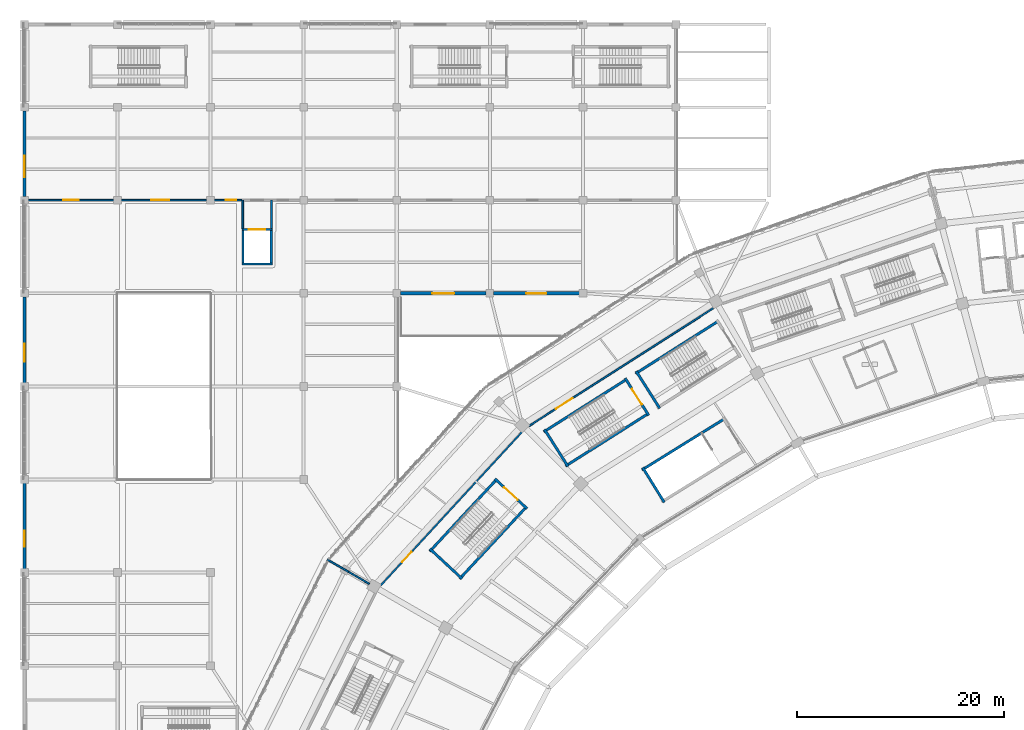
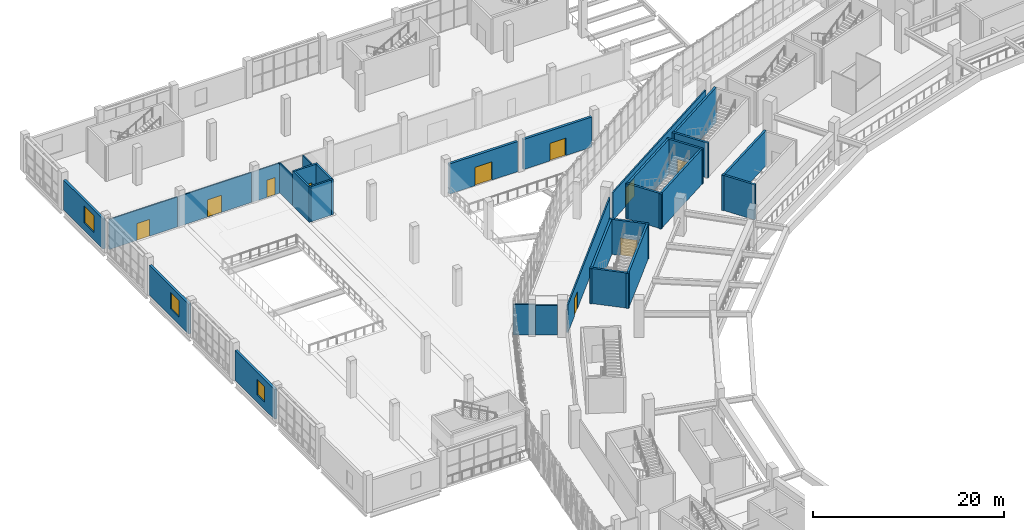
# One storey, part 107 of 179: 30 walls, 10 doors, 3 windows, 13 openings.
"""IFC4 building model written with IfcOpenShell, lengths in metres."""

from ifc_helpers import new_model, si_unit, direction, frame, frame_2d, origin, place, context, subcontext, project, spatial, rectangle, extrude, material, layer, layer_set, type_object, element, fill, save


model = new_model("IFC4")

# Units and contexts
model_context = context("Model", 3, precision=1e-05, world=origin(), true_north=direction((0.0, 1.0)))
body_context = subcontext(model_context, "Body", "Model", "MODEL_VIEW")
ifc_project = project(units=[si_unit("LENGTHUNIT", "METRE"), si_unit("AREAUNIT", "SQUARE_METRE"), si_unit("VOLUMEUNIT", "CUBIC_METRE"), si_unit("PLANEANGLEUNIT", "RADIAN"), si_unit("MASSUNIT", "GRAM", prefix="KILO")], contexts=[model_context])

# Site, building, storey
site_placement = place(None, origin())
site = spatial("IfcSite", under=ifc_project, at=site_placement, CompositionType="ELEMENT")
building_placement = place(site_placement, origin())
building = spatial("IfcBuilding", under=site, at=building_placement, Name="Zevraka Park Crest Stadium", CompositionType="ELEMENT")
storey_placement = place(building_placement, frame((0.0, 0.0, 10.199951171875)))
storey = spatial("IfcBuildingStorey", under=building, at=storey_placement, Name="L02", CompositionType="ELEMENT", Elevation=10.199951171875)

# Wall, opening, window
ifc_material_1 = material(Name="Limestone and red clay brick masonry", Category="masonry")
ifc_layer_1 = layer(ifc_material_1, 0.300048828125)
ifc_layer_set_1 = layer_set([ifc_layer_1], Name="Limestone and red clay brick masonry")
wall_type_1 = type_object("IfcWallType", Name="EW02", PredefinedType="STANDARD", material=ifc_layer_set_1)
wall_1_placement = place(storey_placement, frame((0.0, 131.35009765625, 0.0), z_axis=(0.0, 0.0, 1.0), x_axis=(0.0, 1.0, 0.0)))
wall_1 = element("IfcWall", 1, at=wall_1_placement, inside=storey, type_object=wall_type_1, Name="Wing External Cavity Wall EW02 L02-NW-W-3", PredefinedType="STANDARD", context=body_context, shape_type="SweptSolid", body=[
    extrude(rectangle(XDim=8.2998046875, YDim=0.300048828125, at=frame_2d((4.14990234375, 0.0))), origin(), (0.0, 0.0, 1.0), 3.817138671875),
])
opening_1_placement = place(wall_1_placement, frame((2.1298828125, 0.0, 0.949951171875)))
opening_1 = element("IfcOpeningElement", 2, at=opening_1_placement, cuts=wall_1, Name="Opening WN32", PredefinedType="OPENING", context=body_context, shape_type="SweptSolid", body=[
    extrude(rectangle(XDim=1.550048828125, YDim=1.949951171875, at=frame_2d((0.77490234375, 0.97509765625))), frame((0.0, 0.159912109375, 0.0), z_axis=(0.0, -1.0, 0.0), x_axis=(1.0, 0.0, 0.0)), (0.0, 0.0, 1.0), 0.320068359375),
])
ifc_material_2 = material(Name="Solar-control laminated double glazing in aluminium frame", Category="aluminium")
window_type_1 = type_object("IfcWindowType", Name="WN32", PartitioningType="SINGLE_PANEL", PredefinedType="WINDOW", material=ifc_material_2)
window_1_placement = place(opening_1_placement, origin())
window_1 = element("IfcWindow", 3, at=window_1_placement, inside=storey, type_object=window_type_1, Name="Facade Casement Window WN32 W-L02-032", OverallHeight=1.949951171875, OverallWidth=1.550048828125, PartitioningType="SINGLE_PANEL", PredefinedType="WINDOW", context=body_context, shape_type="SweptSolid", body=[
    extrude(rectangle(XDim=1.550048828125, YDim=1.949951171875, at=frame_2d((0.77490234375, 0.97509765625))), frame((0.0, 0.030029296875, 0.0), z_axis=(0.0, -1.0, 0.0), x_axis=(1.0, 0.0, 0.0)), (0.0, 0.0, 1.0), 0.06005859375),
])
fill(opening_1, window_1)

wall_2_placement = place(storey_placement, frame((0.0, 149.35009765625, 0.0), z_axis=(0.0, 0.0, 1.0), x_axis=(0.0, 1.0, 0.0)))
wall_2 = element("IfcWall", 4, at=wall_2_placement, inside=storey, type_object=wall_type_1, Name="Wing External Cavity Wall EW02 L02-NW-W-5", PredefinedType="STANDARD", context=body_context, shape_type="SweptSolid", body=[
    extrude(rectangle(XDim=8.2998046875, YDim=0.300048828125, at=frame_2d((4.14990234375, 0.0))), origin(), (0.0, 0.0, 1.0), 3.817138671875),
])
opening_2_placement = place(wall_2_placement, frame((2.030029296875, 0.0, 0.949951171875)))
opening_2 = element("IfcOpeningElement", 5, at=opening_2_placement, cuts=wall_2, Name="Opening WN33", PredefinedType="OPENING", context=body_context, shape_type="SweptSolid", body=[
    extrude(rectangle(XDim=1.75, YDim=2.10009765625, at=frame_2d((0.875, 1.050048828125))), frame((0.0, 0.159912109375, 0.0), z_axis=(0.0, -1.0, 0.0), x_axis=(1.0, 0.0, 0.0)), (0.0, 0.0, 1.0), 0.320068359375),
])
ifc_material_3 = material(Name="Solar-control laminated double glazing in aluminium frame", Category="aluminium")
window_type_2 = type_object("IfcWindowType", Name="WN33", PartitioningType="SINGLE_PANEL", PredefinedType="WINDOW", material=ifc_material_3)
window_2_placement = place(opening_2_placement, origin())
window_2 = element("IfcWindow", 6, at=window_2_placement, inside=storey, type_object=window_type_2, Name="Facade Casement Window WN33 W-L02-033", OverallHeight=2.10009765625, OverallWidth=1.75, PartitioningType="SINGLE_PANEL", PredefinedType="WINDOW", context=body_context, shape_type="SweptSolid", body=[
    extrude(rectangle(XDim=1.75, YDim=2.10009765625, at=frame_2d((0.875, 1.050048828125))), frame((0.0, 0.030029296875, 0.0), z_axis=(0.0, -1.0, 0.0), x_axis=(1.0, 0.0, 0.0)), (0.0, 0.0, 1.0), 0.06005859375),
])
fill(opening_2, window_2)

wall_3_placement = place(storey_placement, frame((0.0, 167.35009765625, 0.0), z_axis=(0.0, 0.0, 1.0), x_axis=(0.0, 1.0, 0.0)))
wall_3 = element("IfcWall", 7, at=wall_3_placement, inside=storey, type_object=wall_type_1, Name="Wing External Cavity Wall EW02 L02-NW-W-7", PredefinedType="STANDARD", context=body_context, shape_type="SweptSolid", body=[
    extrude(rectangle(XDim=8.2998046875, YDim=0.300048828125, at=frame_2d((4.14990234375, 0.0))), origin(), (0.0, 0.0, 1.0), 3.817138671875),
])
opening_3_placement = place(wall_3_placement, frame((1.8798828125, 0.0, 0.949951171875)))
opening_3 = element("IfcOpeningElement", 8, at=opening_3_placement, cuts=wall_3, Name="Opening WN34", PredefinedType="OPENING", context=body_context, shape_type="SweptSolid", body=[
    extrude(rectangle(XDim=2.050048828125, YDim=2.199951171875, at=frame_2d((1.02490234375, 1.10009765625))), frame((0.0, 0.159912109375, 0.0), z_axis=(0.0, -1.0, 0.0), x_axis=(1.0, 0.0, 0.0)), (0.0, 0.0, 1.0), 0.320068359375),
])
ifc_material_4 = material(Name="Solar-control laminated double glazing in aluminium frame", Category="aluminium")
window_type_3 = type_object("IfcWindowType", Name="WN34", PartitioningType="SINGLE_PANEL", PredefinedType="WINDOW", material=ifc_material_4)
window_3_placement = place(opening_3_placement, origin())
window_3 = element("IfcWindow", 9, at=window_3_placement, inside=storey, type_object=window_type_3, Name="Facade Casement Window WN34 W-L02-034", OverallHeight=2.199951171875, OverallWidth=2.050048828125, PartitioningType="SINGLE_PANEL", PredefinedType="WINDOW", context=body_context, shape_type="SweptSolid", body=[
    extrude(rectangle(XDim=2.050048828125, YDim=2.199951171875, at=frame_2d((1.02490234375, 1.10009765625))), frame((0.0, 0.030029296875, 0.0), z_axis=(0.0, -1.0, 0.0), x_axis=(1.0, 0.0, 0.0)), (0.0, 0.0, 1.0), 0.06005859375),
])
fill(opening_3, window_3)

# Wall, opening, door
wall_4_placement = place(storey_placement, frame((53.64990234375, 158.0, 0.0), z_axis=(0.0, 0.0, 1.0), x_axis=(-1.0, 0.0, 0.0)))
wall_4 = element("IfcWall", 10, at=wall_4_placement, inside=storey, type_object=wall_type_1, Name="Wing External Cavity Wall EW02 L02-NW-VER2-2", PredefinedType="STANDARD", context=body_context, shape_type="SweptSolid", body=[
    extrude(rectangle(XDim=8.2998046875, YDim=0.300048828125, at=frame_2d((4.14990234375, 0.0))), origin(), (0.0, 0.0, 1.0), 3.85498046875),
])
opening_4_placement = place(wall_4_placement, frame((3.175048828125, 0.0, 0.0)))
opening_4 = element("IfcOpeningElement", 11, at=opening_4_placement, cuts=wall_4, Name="Opening D-L02-VER-01", PredefinedType="OPENING", context=body_context, shape_type="SweptSolid", body=[
    extrude(rectangle(XDim=1.949951171875, YDim=2.25, at=frame_2d((0.97509765625, 1.125))), frame((0.0, 0.159912109375, 0.0), z_axis=(0.0, -1.0, 0.0), x_axis=(1.0, 0.0, 0.0)), (0.0, 0.0, 1.0), 0.320068359375),
])
ifc_material_5 = material(Name="Thermally broken architectural aluminium and safety glass", Category="aluminium")
door_type_1 = type_object("IfcDoorType", Name="ED05", OperationType="NOTDEFINED", PredefinedType="DOOR", material=ifc_material_5)
door_1_placement = place(opening_4_placement, origin())
door_1 = element("IfcDoor", 12, at=door_1_placement, inside=storey, type_object=door_type_1, Name="Outdoor Veranda Access Door D-L02-VER-01", OperationType="DOUBLE_DOOR_SINGLE_SWING", OverallHeight=2.25, OverallWidth=1.949951171875, PredefinedType="DOOR", context=body_context, shape_type="SweptSolid", body=[
    extrude(rectangle(XDim=1.949951171875, YDim=2.25, at=frame_2d((0.97509765625, 1.125))), frame((0.0, 0.02490234375, 0.0), z_axis=(0.0, -1.0, 0.0), x_axis=(1.0, 0.0, 0.0)), (0.0, 0.0, 1.0), 0.050048828125),
])
fill(opening_4, door_1)

wall_5_placement = place(storey_placement, frame((44.64990234375, 158.0, 0.0), z_axis=(0.0, 0.0, 1.0), x_axis=(-1.0, 0.0, 0.0)))
wall_5 = element("IfcWall", 13, at=wall_5_placement, inside=storey, type_object=wall_type_1, Name="Wing External Cavity Wall EW02 L02-NW-VER2-3", PredefinedType="STANDARD", context=body_context, shape_type="SweptSolid", body=[
    extrude(rectangle(XDim=8.2998046875, YDim=0.300048828125, at=frame_2d((4.14990234375, 0.0))), origin(), (0.0, 0.0, 1.0), 3.85498046875),
])
opening_5_placement = place(wall_5_placement, frame((3.10009765625, 0.0, 0.0)))
opening_5 = element("IfcOpeningElement", 14, at=opening_5_placement, cuts=wall_5, Name="Opening D-L02-VER-02", PredefinedType="OPENING", context=body_context, shape_type="SweptSolid", body=[
    extrude(rectangle(XDim=2.10009765625, YDim=2.35009765625, at=frame_2d((1.050048828125, 1.175048828125))), frame((0.0, 0.159912109375, 0.0), z_axis=(0.0, -1.0, 0.0), x_axis=(1.0, 0.0, 0.0)), (0.0, 0.0, 1.0), 0.320068359375),
])
ifc_material_6 = material(Name="Thermally broken architectural aluminium and safety glass", Category="aluminium")
door_type_2 = type_object("IfcDoorType", Name="ED06", OperationType="NOTDEFINED", PredefinedType="DOOR", material=ifc_material_6)
door_2_placement = place(opening_5_placement, origin())
door_2 = element("IfcDoor", 15, at=door_2_placement, inside=storey, type_object=door_type_2, Name="Outdoor Veranda Access Door D-L02-VER-02", OperationType="DOUBLE_DOOR_SINGLE_SWING", OverallHeight=2.35009765625, OverallWidth=2.10009765625, PredefinedType="DOOR", context=body_context, shape_type="SweptSolid", body=[
    extrude(rectangle(XDim=2.10009765625, YDim=2.35009765625, at=frame_2d((1.050048828125, 1.175048828125))), frame((0.0, 0.02490234375, 0.0), z_axis=(0.0, -1.0, 0.0), x_axis=(1.0, 0.0, 0.0)), (0.0, 0.0, 1.0), 0.050048828125),
])
fill(opening_5, door_2)

# Walls
ifc_material_7 = material(Name="Fire-rated twin-stud acoustic drywall", Category="other")
ifc_layer_2 = layer(ifc_material_7, 0.159912109375)
ifc_layer_set_2 = layer_set([ifc_layer_2], Name="Fire-rated twin-stud acoustic drywall")
wall_type_2 = type_object("IfcWallType", Name="IW02", PredefinedType="PARTITIONING", material=ifc_layer_set_2)
for number, where, z_axis, x_axis, name in (
    (16, (23.889892578125, 164.25, 0.0), (0.0, 0.0, 1.0), (0.0, 1.0, 0.0), "Goods Lift Lobby Wall IW02 GL01 L02 LEFT"),
    (17, (21.110107421875, 164.25, 0.0), (0.0, 0.0, 1.0), (0.0, 1.0, 0.0), "Goods Lift Lobby Wall IW02 GL01 L02 RIGHT"),
):
    element("IfcWall", number, at=place(storey_placement, frame(where, z_axis=z_axis, x_axis=x_axis)), inside=storey, type_object=wall_type_2, Name=name, PredefinedType="PARTITIONING", context=body_context, shape_type="SweptSolid", body=[
        extrude(rectangle(XDim=2.75, YDim=0.159912109375, at=frame_2d((1.375, 0.0))), origin(), (0.0, 0.0, 1.0), 3.85498046875),
    ])

# Wall, opening, door
wall_6_placement = place(storey_placement, frame((66.6298828125, 156.572998046875, 0.0), z_axis=(0.0, 0.0, 1.0), x_axis=(-0.842559137296, -0.538603843431, 0.0)))
wall_6 = element("IfcWall", 18, at=wall_6_placement, inside=storey, type_object=wall_type_2, Name="Interior Partition IW02 North Park Banquet Hall L02", PredefinedType="PARTITIONING", context=body_context, shape_type="SweptSolid", body=[
    extrude(rectangle(XDim=21.163818359375, YDim=0.159912109375, at=frame_2d((10.58203125, 0.0))), origin(), (0.0, 0.0, 1.0), 3.56494140625),
])
opening_6_placement = place(wall_6_placement, frame((16.19189453125, 0.0, 0.0)))
opening_6 = element("IfcOpeningElement", 19, at=opening_6_placement, cuts=wall_6, Name="Opening D-L02-405", PredefinedType="OPENING", context=body_context, shape_type="SweptSolid", body=[
    extrude(rectangle(XDim=1.89990234375, YDim=2.25, at=frame_2d((0.949951171875, 1.125))), frame((0.0, 0.08984375, 0.0), z_axis=(0.0, -1.0, 0.0), x_axis=(1.0, 0.0, 0.0)), (0.0, 0.0, 1.0), 0.179931640625),
])
ifc_material_8 = material(Name="Solid-core hardwood timber leaf in steel frame", Category="steel")
door_type_3 = type_object("IfcDoorType", Name="DR15", OperationType="NOTDEFINED", PredefinedType="DOOR", material=ifc_material_8)
door_3_placement = place(opening_6_placement, origin())
door_3 = element("IfcDoor", 20, at=door_3_placement, inside=storey, type_object=door_type_3, Name="North Park Banquet Hall Door D-L02-405", OperationType="DOUBLE_DOOR_SINGLE_SWING", OverallHeight=2.25, OverallWidth=1.89990234375, PredefinedType="DOOR", context=body_context, shape_type="SweptSolid", body=[
    extrude(rectangle(XDim=1.89990234375, YDim=2.25, at=frame_2d((0.949951171875, 1.125))), frame((0.0, 0.02490234375, 0.0), z_axis=(0.0, -1.0, 0.0), x_axis=(1.0, 0.0, 0.0)), (0.0, 0.0, 1.0), 0.050048828125),
])
fill(opening_6, door_3)

wall_7_placement = place(storey_placement, frame((48.09912109375, 144.572998046875, 0.0), z_axis=(0.0, 0.0, 1.0), x_axis=(-0.677448860536, -0.735569875239, 0.0)))
wall_7 = element("IfcWall", 21, at=wall_7_placement, inside=storey, type_object=wall_type_2, Name="Interior Partition IW02 North Park Banquet Hall L02", PredefinedType="PARTITIONING", context=body_context, shape_type="SweptSolid", body=[
    extrude(rectangle(XDim=20.16259765625, YDim=0.159912109375, at=frame_2d((10.081298828125, 0.0))), origin(), (0.0, 0.0, 1.0), 3.56494140625),
])
opening_7_placement = place(wall_7_placement, frame((15.763916015625, 0.0, 0.0)))
opening_7 = element("IfcOpeningElement", 22, at=opening_7_placement, cuts=wall_7, Name="Opening D-L02-406", PredefinedType="OPENING", context=body_context, shape_type="SweptSolid", body=[
    extrude(rectangle(XDim=1.300048828125, YDim=2.25, at=frame_2d((0.64990234375, 1.125))), frame((0.0, 0.08984375, 0.0), z_axis=(0.0, -1.0, 0.0), x_axis=(1.0, 0.0, 0.0)), (0.0, 0.0, 1.0), 0.179931640625),
])
ifc_material_9 = material(Name="Solid-core hardwood timber leaf in steel frame", Category="steel")
door_type_4 = type_object("IfcDoorType", Name="DR12", OperationType="NOTDEFINED", PredefinedType="DOOR", material=ifc_material_9)
door_4_placement = place(opening_7_placement, origin())
door_4 = element("IfcDoor", 23, at=door_4_placement, inside=storey, type_object=door_type_4, Name="North Park Banquet Hall Door D-L02-406", OperationType="SINGLE_SWING_RIGHT", OverallHeight=2.25, OverallWidth=1.300048828125, PredefinedType="DOOR", context=body_context, shape_type="SweptSolid", body=[
    extrude(rectangle(XDim=1.300048828125, YDim=2.25, at=frame_2d((0.64990234375, 1.125))), frame((0.0, 0.02490234375, 0.0), z_axis=(0.0, -1.0, 0.0), x_axis=(1.0, 0.0, 0.0)), (0.0, 0.0, 1.0), 0.050048828125),
])
fill(opening_7, door_4)

# Walls
wall_8_placement = place(storey_placement, frame((33.35595703125, 129.905029296875, 0.0), z_axis=(0.0, 0.0, 1.0), x_axis=(-0.865911483355, 0.500197264081, 0.0)))
element("IfcWall", 24, at=wall_8_placement, inside=storey, type_object=wall_type_2, Name="Interior Partition IW02 North Park Banquet Hall L02", PredefinedType="PARTITIONING", context=body_context, shape_type="SweptSolid", body=[
    extrude(rectangle(XDim=2.3291015625, YDim=0.159912109375, at=frame_2d((1.16455078125, 0.0))), origin(), (0.0, 0.0, 1.0), 3.783447265625),
])
wall_9_placement = place(storey_placement, frame((31.35205078125, 131.06201171875, 0.0), z_axis=(0.0, 0.0, 1.0), x_axis=(-0.865969920531, 0.500096087503, 0.0)))
element("IfcWall", 25, at=wall_9_placement, inside=storey, type_object=wall_type_2, Name="Interior Partition IW02 North Park Banquet Hall L02", PredefinedType="PARTITIONING", context=body_context, shape_type="SweptSolid", body=[
    extrude(rectangle(XDim=2.37548828125, YDim=0.159912109375, at=frame_2d((1.187744140625, 0.0))), origin(), (0.0, 0.0, 1.0), 3.9150390625),
])

# Wall, opening, door
ifc_material_10 = material(Name="Fire-rated twin-stud acoustic drywall", Category="other")
ifc_layer_3 = layer(ifc_material_10, 0.139892578125)
ifc_layer_set_3 = layer_set([ifc_layer_3], Name="Fire-rated twin-stud acoustic drywall")
wall_type_3 = type_object("IfcWallType", Name="IW03", PredefinedType="PARTITIONING", material=ifc_layer_set_3)
wall_10_placement = place(storey_placement, frame((0.360107421875, 167.0, 0.0), z_axis=(0.0, 0.0, 1.0), x_axis=(1.0, 0.0, 0.0)))
wall_10 = element("IfcWall", 26, at=wall_10_placement, inside=storey, type_object=wall_type_3, Name="Interior Partition IW03 Community Sports Classroom L02", PredefinedType="PARTITIONING", context=body_context, shape_type="SweptSolid", body=[
    extrude(rectangle(XDim=8.27978515625, YDim=0.139892578125, at=frame_2d((4.139892578125, 0.0))), origin(), (0.0, 0.0, 1.0), 3.85498046875),
])
opening_8_placement = place(wall_10_placement, frame((3.389892578125, 0.0, 0.0)))
opening_8 = element("IfcOpeningElement", 27, at=opening_8_placement, cuts=wall_10, Name="Opening D-L02-424", PredefinedType="OPENING", context=body_context, shape_type="SweptSolid", body=[
    extrude(rectangle(XDim=1.5, YDim=2.14990234375, at=frame_2d((0.75, 1.074951171875))), frame((0.0, 0.079833984375, 0.0), z_axis=(0.0, -1.0, 0.0), x_axis=(1.0, 0.0, 0.0)), (0.0, 0.0, 1.0), 0.159912109375),
])
ifc_material_11 = material(Name="Solid-core hardwood timber leaf in steel frame", Category="steel")
door_type_5 = type_object("IfcDoorType", Name="DR13", OperationType="NOTDEFINED", PredefinedType="DOOR", material=ifc_material_11)
door_5_placement = place(opening_8_placement, origin())
door_5 = element("IfcDoor", 28, at=door_5_placement, inside=storey, type_object=door_type_5, Name="Community Sports Classroom Door D-L02-424", OperationType="DOUBLE_DOOR_SINGLE_SWING", OverallHeight=2.14990234375, OverallWidth=1.5, PredefinedType="DOOR", context=body_context, shape_type="SweptSolid", body=[
    extrude(rectangle(XDim=1.5, YDim=2.14990234375, at=frame_2d((0.75, 1.074951171875))), frame((0.0, 0.02490234375, 0.0), z_axis=(0.0, -1.0, 0.0), x_axis=(1.0, 0.0, 0.0)), (0.0, 0.0, 1.0), 0.050048828125),
])
fill(opening_8, door_5)

wall_11_placement = place(storey_placement, frame((8.625, 167.0, 0.0), z_axis=(0.0, 0.0, 1.0), x_axis=(1.0, 0.0, 0.0)))
wall_11 = element("IfcWall", 29, at=wall_11_placement, inside=storey, type_object=wall_type_3, Name="Interior Partition IW03 Community Sports Classroom L02", PredefinedType="PARTITIONING", context=body_context, shape_type="SweptSolid", body=[
    extrude(rectangle(XDim=9.014892578125, YDim=0.139892578125, at=frame_2d((4.50732421875, 0.0))), origin(), (0.0, 0.0, 1.0), 3.85498046875),
])
opening_9_placement = place(wall_11_placement, frame((3.657958984375, 0.0, 0.0)))
opening_9 = element("IfcOpeningElement", 30, at=opening_9_placement, cuts=wall_11, Name="Opening D-L02-425", PredefinedType="OPENING", context=body_context, shape_type="SweptSolid", body=[
    extrude(rectangle(XDim=1.699951171875, YDim=2.199951171875, at=frame_2d((0.85009765625, 1.10009765625))), frame((0.0, 0.079833984375, 0.0), z_axis=(0.0, -1.0, 0.0), x_axis=(1.0, 0.0, 0.0)), (0.0, 0.0, 1.0), 0.159912109375),
])
ifc_material_12 = material(Name="Solid-core hardwood timber leaf in steel frame", Category="steel")
door_type_6 = type_object("IfcDoorType", Name="DR14", OperationType="NOTDEFINED", PredefinedType="DOOR", material=ifc_material_12)
door_6_placement = place(opening_9_placement, origin())
door_6 = element("IfcDoor", 31, at=door_6_placement, inside=storey, type_object=door_type_6, Name="Community Sports Classroom Door D-L02-425", OperationType="DOUBLE_DOOR_SINGLE_SWING", OverallHeight=2.199951171875, OverallWidth=1.699951171875, PredefinedType="DOOR", context=body_context, shape_type="SweptSolid", body=[
    extrude(rectangle(XDim=1.699951171875, YDim=2.199951171875, at=frame_2d((0.85009765625, 1.10009765625))), frame((0.0, 0.02490234375, 0.0), z_axis=(0.0, -1.0, 0.0), x_axis=(1.0, 0.0, 0.0)), (0.0, 0.0, 1.0), 0.050048828125),
])
fill(opening_9, door_6)

wall_12_placement = place(storey_placement, frame((17.625, 167.0, 0.0), z_axis=(0.0, 0.0, 1.0), x_axis=(1.0, 0.0, 0.0)))
wall_12 = element("IfcWall", 32, at=wall_12_placement, inside=storey, type_object=wall_type_3, Name="Interior Partition IW03 Community Sports Classroom L02", PredefinedType="PARTITIONING", context=body_context, shape_type="SweptSolid", body=[
    extrude(rectangle(XDim=3.405029296875, YDim=0.139892578125, at=frame_2d((1.70263671875, 0.0))), origin(), (0.0, 0.0, 1.0), 3.85498046875),
])
opening_10_placement = place(wall_12_placement, frame((1.841064453125, 0.0, 0.0)))
opening_10 = element("IfcOpeningElement", 33, at=opening_10_placement, cuts=wall_12, Name="Opening D-L02-426", PredefinedType="OPENING", context=body_context, shape_type="SweptSolid", body=[
    extrude(rectangle(XDim=1.02001953125, YDim=2.199951171875, at=frame_2d((0.510009765625, 1.10009765625))), frame((0.0, 0.079833984375, 0.0), z_axis=(0.0, -1.0, 0.0), x_axis=(1.0, 0.0, 0.0)), (0.0, 0.0, 1.0), 0.159912109375),
])
ifc_material_13 = material(Name="Solid-core hardwood timber leaf in steel frame", Category="steel")
door_type_7 = type_object("IfcDoorType", Name="DR21", OperationType="NOTDEFINED", PredefinedType="DOOR", material=ifc_material_13)
door_7_placement = place(opening_10_placement, origin())
door_7 = element("IfcDoor", 34, at=door_7_placement, inside=storey, type_object=door_type_7, Name="Community Sports Classroom Door D-L02-426", OperationType="SINGLE_SWING_LEFT", OverallHeight=2.199951171875, OverallWidth=1.02001953125, PredefinedType="DOOR", context=body_context, shape_type="SweptSolid", body=[
    extrude(rectangle(XDim=1.02001953125, YDim=2.199951171875, at=frame_2d((0.510009765625, 1.10009765625))), frame((0.0, 0.02490234375, 0.0), z_axis=(0.0, -1.0, 0.0), x_axis=(1.0, 0.0, 0.0)), (0.0, 0.0, 1.0), 0.050048828125),
])
fill(opening_10, door_7)

# Walls
ifc_material_14 = material(Name="Concrete C40/50", Category="concrete")
ifc_layer_4 = layer(ifc_material_14, 0.25)
ifc_layer_set_4 = layer_set([ifc_layer_4], Name="Concrete C40/50")
wall_type_4 = type_object("IfcWallType", Name="SW01", PredefinedType="SHEAR", material=ifc_layer_set_4)
wall_13_placement = place(storey_placement, frame((67.147216796875, 155.343505859375, 0.0), z_axis=(0.0, 0.0, 1.0), x_axis=(-0.844391246241, -0.535727004427, 0.0)))
element("IfcWall", 35, at=wall_13_placement, inside=storey, type_object=wall_type_4, Name="Stair Core Shear Wall SW01 ST09 L02 left", PredefinedType="SHEAR", context=body_context, shape_type="SweptSolid", body=[
    extrude(rectangle(XDim=9.550048828125, YDim=0.25, at=frame_2d((4.77490234375, 0.0))), origin(), (0.0, 0.0, 1.0), 4.5),
])
wall_14_placement = place(storey_placement, frame((59.1484375, 150.469970703125, 0.0), z_axis=(0.0, 0.0, 1.0), x_axis=(0.53572544074, -0.844392238325, 0.0)))
element("IfcWall", 36, at=wall_14_placement, inside=storey, type_object=wall_type_4, Name="Stair Core Shear Wall SW01 ST09 L02 far", PredefinedType="SHEAR", context=body_context, shape_type="SweptSolid", body=[
    extrude(rectangle(XDim=4.260009765625, YDim=0.25, at=frame_2d((2.1298828125, 0.0))), origin(), (0.0, 0.0, 1.0), 4.5),
])
wall_15_placement = place(storey_placement, frame((45.6943359375, 140.047607421875, 0.0), z_axis=(0.0, 0.0, 1.0), x_axis=(-0.680257902718, -0.7329728411, 0.0)))
element("IfcWall", 37, at=wall_15_placement, inside=storey, type_object=wall_type_4, Name="Stair Core Shear Wall SW01 ST10 L02 left", PredefinedType="SHEAR", context=body_context, shape_type="SweptSolid", body=[
    extrude(rectangle(XDim=9.5498046875, YDim=0.25, at=frame_2d((4.77490234375, 0.0))), origin(), (0.0, 0.0, 1.0), 4.5),
])
wall_16_placement = place(storey_placement, frame((42.0712890625, 130.381103515625, 0.0), z_axis=(0.0, 0.0, 1.0), x_axis=(0.680245155897, 0.732984670971, 0.0)))
element("IfcWall", 38, at=wall_16_placement, inside=storey, type_object=wall_type_4, Name="Stair Core Shear Wall SW01 ST10 L02 right", PredefinedType="SHEAR", context=body_context, shape_type="SweptSolid", body=[
    extrude(rectangle(XDim=9.550048828125, YDim=0.25, at=frame_2d((4.77490234375, 0.0))), origin(), (0.0, 0.0, 1.0), 4.5),
])

# Wall, opening, door
wall_17_placement = place(storey_placement, frame((48.607177734375, 137.173828125, 0.0), z_axis=(0.0, 0.0, 1.0), x_axis=(-0.73295064559, 0.680281817433, 0.0)))
wall_17 = element("IfcWall", 39, at=wall_17_placement, inside=storey, type_object=wall_type_4, Name="Stair Core Shear Wall SW01 ST10 L02 near", PredefinedType="SHEAR", context=body_context, shape_type="SweptSolid", body=[
    extrude(rectangle(XDim=4.260009765625, YDim=0.25, at=frame_2d((2.1298828125, 0.0))), origin(), (0.0, 0.0, 1.0), 4.5),
])
opening_11_placement = place(wall_17_placement, frame((1.22998046875, 0.0, 0.0)))
opening_11 = element("IfcOpeningElement", 40, at=opening_11_placement, cuts=wall_17, Name="Opening D-L02-060", PredefinedType="OPENING", context=body_context, shape_type="SweptSolid", body=[
    extrude(rectangle(XDim=1.800048828125, YDim=2.25, at=frame_2d((0.89990234375, 1.125))), frame((0.0, 0.135009765625, 0.0), z_axis=(0.0, -1.0, 0.0), x_axis=(1.0, 0.0, 0.0)), (0.0, 0.0, 1.0), 0.27001953125),
])
ifc_material_15 = material(Name="Solid-core hardwood timber leaf in steel frame", Category="steel")
door_type_8 = type_object("IfcDoorType", Name="DR04", OperationType="NOTDEFINED", PredefinedType="DOOR", material=ifc_material_15)
door_8_placement = place(opening_11_placement, origin())
door_8 = element("IfcDoor", 41, at=door_8_placement, inside=storey, type_object=door_type_8, Name="Protected Stair Entry Door ST10 L02", OperationType="DOUBLE_DOOR_SINGLE_SWING", OverallHeight=2.25, OverallWidth=1.800048828125, PredefinedType="DOOR", context=body_context, shape_type="SweptSolid", body=[
    extrude(rectangle(XDim=1.800048828125, YDim=2.25, at=frame_2d((0.89990234375, 1.125))), frame((0.0, 0.02490234375, 0.0), z_axis=(0.0, -1.0, 0.0), x_axis=(1.0, 0.0, 0.0)), (0.0, 0.0, 1.0), 0.050048828125),
])
fill(opening_11, door_8)

# Walls
wall_18_placement = place(storey_placement, frame((39.19921875, 133.299072265625, 0.0), z_axis=(0.0, 0.0, 1.0), x_axis=(0.732977166505, -0.680253242096, 0.0)))
element("IfcWall", 42, at=wall_18_placement, inside=storey, type_object=wall_type_4, Name="Stair Core Shear Wall SW01 ST10 L02 far", PredefinedType="SHEAR", context=body_context, shape_type="SweptSolid", body=[
    extrude(rectangle(XDim=4.260009765625, YDim=0.25, at=frame_2d((2.1298828125, 0.0))), origin(), (0.0, 0.0, 1.0), 4.5),
])
for number, where, z_axis, x_axis, name in (
    (43, (58.28125, 149.718505859375, 0.0), (0.0, 0.0, 1.0), (-0.844391246241, -0.535727004427, 0.0), "Stair Core Shear Wall SW01 ST28 L02 left"),
    (44, (52.3173828125, 141.292236328125, 0.0), (0.0, 0.0, 1.0), (0.844391246241, 0.535727004427, 0.0), "Stair Core Shear Wall SW01 ST28 L02 right"),
):
    element("IfcWall", number, at=place(storey_placement, frame(where, z_axis=z_axis, x_axis=x_axis)), inside=storey, type_object=wall_type_4, Name=name, PredefinedType="SHEAR", context=body_context, shape_type="SweptSolid", body=[
        extrude(rectangle(XDim=9.550048828125, YDim=0.25, at=frame_2d((4.77490234375, 0.0))), origin(), (0.0, 0.0, 1.0), 4.5),
    ])

# Wall, opening, door
wall_19_placement = place(storey_placement, frame((60.36669921875, 146.197998046875, 0.0), z_axis=(0.0, 0.0, 1.0), x_axis=(-0.535684577572, 0.844418162613, 0.0)))
wall_19 = element("IfcWall", 45, at=wall_19_placement, inside=storey, type_object=wall_type_4, Name="Stair Core Shear Wall SW01 ST28 L02 near", PredefinedType="SHEAR", context=body_context, shape_type="SweptSolid", body=[
    extrude(rectangle(XDim=4.260009765625, YDim=0.25, at=frame_2d((2.1298828125, 0.0))), origin(), (0.0, 0.0, 1.0), 4.5),
])
opening_12_placement = place(wall_19_placement, frame((1.22998046875, 0.0, 0.0)))
opening_12 = element("IfcOpeningElement", 46, at=opening_12_placement, cuts=wall_19, Name="Opening D-L02-163", PredefinedType="OPENING", context=body_context, shape_type="SweptSolid", body=[
    extrude(rectangle(XDim=1.800048828125, YDim=2.25, at=frame_2d((0.89990234375, 1.125))), frame((0.0, 0.135009765625, 0.0), z_axis=(0.0, -1.0, 0.0), x_axis=(1.0, 0.0, 0.0)), (0.0, 0.0, 1.0), 0.27001953125),
])
door_9_placement = place(opening_12_placement, origin())
door_9 = element("IfcDoor", 47, at=door_9_placement, inside=storey, type_object=door_type_8, Name="Protected Stair Entry Door ST28 L02", OperationType="DOUBLE_DOOR_SINGLE_SWING", OverallHeight=2.25, OverallWidth=1.800048828125, PredefinedType="DOOR", context=body_context, shape_type="SweptSolid", body=[
    extrude(rectangle(XDim=1.800048828125, YDim=2.25, at=frame_2d((0.89990234375, 1.125))), frame((0.0, 0.02490234375, 0.0), z_axis=(0.0, -1.0, 0.0), x_axis=(1.0, 0.0, 0.0)), (0.0, 0.0, 1.0), 0.050048828125),
])
fill(opening_12, door_9)

# Walls
wall_20_placement = place(storey_placement, frame((50.282470703125, 144.844970703125, 0.0), z_axis=(0.0, 0.0, 1.0), x_axis=(0.535684577572, -0.844418162613, 0.0)))
element("IfcWall", 48, at=wall_20_placement, inside=storey, type_object=wall_type_4, Name="Stair Core Shear Wall SW01 ST28 L02 far", PredefinedType="SHEAR", context=body_context, shape_type="SweptSolid", body=[
    extrude(rectangle(XDim=4.260009765625, YDim=0.25, at=frame_2d((2.1298828125, 0.0))), origin(), (0.0, 0.0, 1.0), 4.5),
])
wall_21_placement = place(storey_placement, frame((67.7421875, 145.898681640625, 0.0), z_axis=(0.0, 0.0, 1.0), x_axis=(-0.849696444565, -0.527272180277, 0.0)))
element("IfcWall", 49, at=wall_21_placement, inside=storey, type_object=wall_type_4, Name="Stair Core Shear Wall SW01 ST37 L02 left", PredefinedType="SHEAR", context=body_context, shape_type="SweptSolid", body=[
    extrude(rectangle(XDim=9.449951171875, YDim=0.25, at=frame_2d((4.72509765625, 0.0))), origin(), (0.0, 0.0, 1.0), 4.5),
])
wall_22_placement = place(storey_placement, frame((59.7802734375, 141.157958984375, 0.0), z_axis=(0.0, 0.0, 1.0), x_axis=(0.527258497125, -0.84970493538, 0.0)))
element("IfcWall", 50, at=wall_22_placement, inside=storey, type_object=wall_type_4, Name="Stair Core Shear Wall SW01 ST37 L02 far", PredefinedType="SHEAR", context=body_context, shape_type="SweptSolid", body=[
    extrude(rectangle(XDim=3.9599609375, YDim=0.25, at=frame_2d((1.97998046875, 0.0))), origin(), (0.0, 0.0, 1.0), 4.5),
])
ifc_material_16 = material(Name="Concrete C40/50", Category="concrete")
ifc_layer_5 = layer(ifc_material_16, 0.219970703125)
ifc_layer_set_5 = layer_set([ifc_layer_5], Name="Concrete C40/50")
wall_type_5 = type_object("IfcWallType", Name="SW02", PredefinedType="SHEAR", material=ifc_layer_set_5)
wall_23_placement = place(storey_placement, frame((21.030029296875, 160.840087890625, 0.0), z_axis=(0.0, 0.0, 1.0), x_axis=(1.0, 0.0, 0.0)))
element("IfcWall", 51, at=wall_23_placement, inside=storey, type_object=wall_type_5, Name="Lift Shaft Shear Wall SW02 GL01 L02-1", PredefinedType="SHEAR", context=body_context, shape_type="SweptSolid", body=[
    extrude(rectangle(XDim=2.93994140625, YDim=0.219970703125, at=frame_2d((1.469970703125, 0.0))), origin(), (0.0, 0.0, 1.0), 4.5),
])
wall_24_placement = place(storey_placement, frame((23.860107421875, 160.72998046875, 0.0), z_axis=(0.0, 0.0, 1.0), x_axis=(0.0, 1.0, 0.0)))
element("IfcWall", 52, at=wall_24_placement, inside=storey, type_object=wall_type_5, Name="Lift Shaft Shear Wall SW02 GL01 L02-2", PredefinedType="SHEAR", context=body_context, shape_type="SweptSolid", body=[
    extrude(rectangle(XDim=3.5400390625, YDim=0.219970703125, at=frame_2d((1.77001953125, 0.0))), origin(), (0.0, 0.0, 1.0), 4.5),
])

# Wall, opening, door
wall_25_placement = place(storey_placement, frame((23.969970703125, 164.159912109375, 0.0), z_axis=(0.0, 0.0, 1.0), x_axis=(-1.0, 0.0, 0.0)))
wall_25 = element("IfcWall", 53, at=wall_25_placement, inside=storey, type_object=wall_type_5, Name="Lift Shaft Shear Wall SW02 GL01 L02-3", PredefinedType="SHEAR", context=body_context, shape_type="SweptSolid", body=[
    extrude(rectangle(XDim=2.93994140625, YDim=0.219970703125, at=frame_2d((1.469970703125, 0.0))), origin(), (0.0, 0.0, 1.0), 4.5),
])
opening_13_placement = place(wall_25_placement, frame((0.669921875, 0.0, 0.0)))
opening_13 = element("IfcOpeningElement", 54, at=opening_13_placement, cuts=wall_25, Name="Opening LD-GL01-L02", PredefinedType="OPENING", context=body_context, shape_type="SweptSolid", body=[
    extrude(rectangle(XDim=1.60009765625, YDim=2.300048828125, at=frame_2d((0.800048828125, 1.14990234375))), frame((0.0, 0.119873046875, 0.0), z_axis=(0.0, -1.0, 0.0), x_axis=(1.0, 0.0, 0.0)), (0.0, 0.0, 1.0), 0.239990234375),
])
ifc_material_17 = material(Name="Brushed stainless steel lift landing doors", Category="steel")
door_type_9 = type_object("IfcDoorType", Name="LD03", OperationType="NOTDEFINED", PredefinedType="DOOR", material=ifc_material_17)
door_10_placement = place(opening_13_placement, origin())
door_10 = element("IfcDoor", 55, at=door_10_placement, inside=storey, type_object=door_type_9, Name="Lift Sliding Landing Door LD-GL01-L02", OperationType="SLIDING_TO_LEFT", OverallHeight=2.300048828125, OverallWidth=1.60009765625, PredefinedType="DOOR", context=body_context, shape_type="SweptSolid", body=[
    extrude(rectangle(XDim=1.60009765625, YDim=2.300048828125, at=frame_2d((0.800048828125, 1.14990234375))), frame((0.0, 0.02490234375, 0.0), z_axis=(0.0, -1.0, 0.0), x_axis=(1.0, 0.0, 0.0)), (0.0, 0.0, 1.0), 0.050048828125),
])
fill(opening_13, door_10)

# Wall
wall_26_placement = place(storey_placement, frame((21.139892578125, 164.27001953125, 0.0), z_axis=(0.0, 0.0, 1.0), x_axis=(0.0, -1.0, 0.0)))
element("IfcWall", 56, at=wall_26_placement, inside=storey, type_object=wall_type_5, Name="Lift Shaft Shear Wall SW02 GL01 L02-4", PredefinedType="SHEAR", context=body_context, shape_type="SweptSolid", body=[
    extrude(rectangle(XDim=3.5400390625, YDim=0.219970703125, at=frame_2d((1.77001953125, 0.0))), origin(), (0.0, 0.0, 1.0), 4.5),
])

save(model, "model.ifc")
